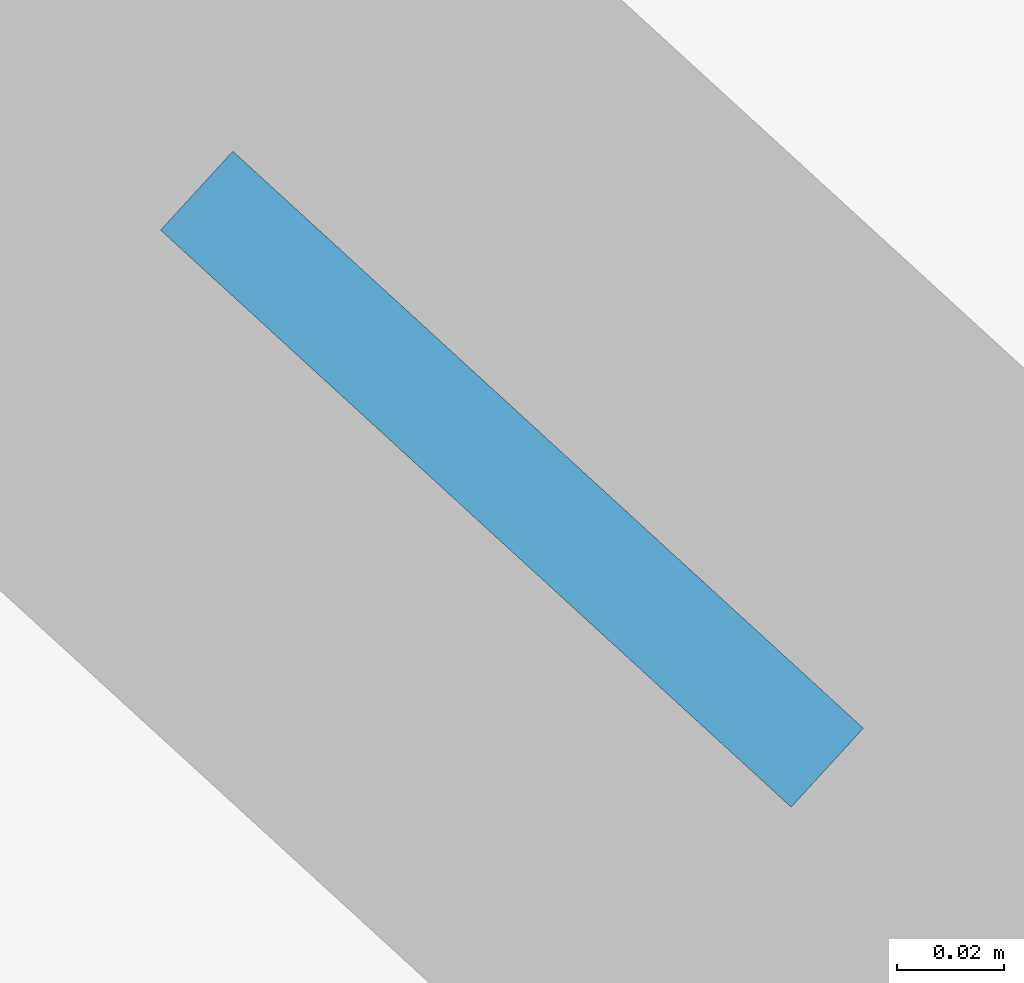
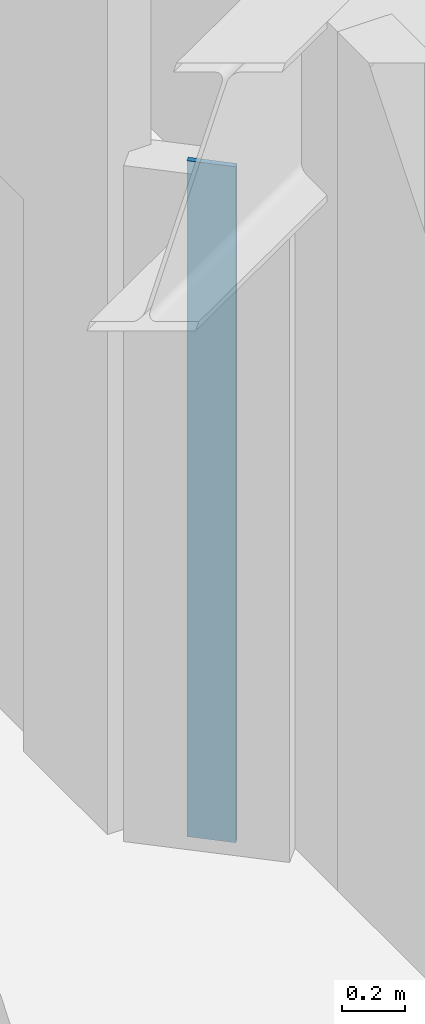
# One storey, part 3 of 12: 1 plate.
"""IFC4 building model written with IfcOpenShell, lengths in metres."""

from ifc_helpers import new_model, si_unit, direction, frame, origin, origin_2d, place, context, subcontext, project, spatial, rectangle, extrude, material, layer, layer_set, type_object, element, save


model = new_model("IFC4")

# Units and contexts
model_context = context("Model", 3, precision=1e-05, world=origin(), true_north=direction((0.0, 1.0)))
body_context = subcontext(model_context, "Body", "Model", "MODEL_VIEW")
ifc_project = project(units=[si_unit("LENGTHUNIT", "METRE"), si_unit("AREAUNIT", "SQUARE_METRE"), si_unit("VOLUMEUNIT", "CUBIC_METRE"), si_unit("PLANEANGLEUNIT", "RADIAN"), si_unit("MASSUNIT", "GRAM", prefix="KILO")], contexts=[model_context])

# Site, building, storey
site_placement = place(None, origin())
site = spatial("IfcSite", under=ifc_project, at=site_placement, CompositionType="ELEMENT")
building_placement = place(site_placement, origin())
building = spatial("IfcBuilding", under=site, at=building_placement, Name="Miruveldt Soraemaru", CompositionType="ELEMENT")
storey_placement = place(building_placement, frame((0.0, 0.0, 216.0)))
storey = spatial("IfcBuildingStorey", under=building, at=storey_placement, Name="L59", CompositionType="ELEMENT", Elevation=216.0)

# Plate
ifc_material = material(Name="Anodised aluminium EN AW-6063 T6", Category="aluminium")
ifc_layer = layer(ifc_material, 0.02001953125, Name="Anodised aluminium EN AW-6063 T6", Category="aluminium")
ifc_layer_set = layer_set([ifc_layer], Name="Anodised aluminium EN AW-6063 T6")
plate_type = type_object("IfcPlateType", Name="PLT-PART-TRIM", PredefinedType="SHEET", material=ifc_layer_set)
plate_placement = place(storey_placement, frame((35.14990234375, 52.873046875, 0.0), z_axis=(0.0, 0.0, 1.0), x_axis=(0.737748808042, -0.675075326339, 0.0)))
element("IfcPlate", 1, at=plate_placement, inside=storey, type_object=plate_type, Name="L59 Partition Step Corner Trim Plate 001", PredefinedType="SHEET", context=body_context, shape_type="SweptSolid", body=[
    extrude(rectangle(XDim=0.159912109375, YDim=0.02001953125, at=origin_2d()), origin(), (0.0, 0.0, 1.0), 2.633056640625),
])

save(model, "model.ifc")
